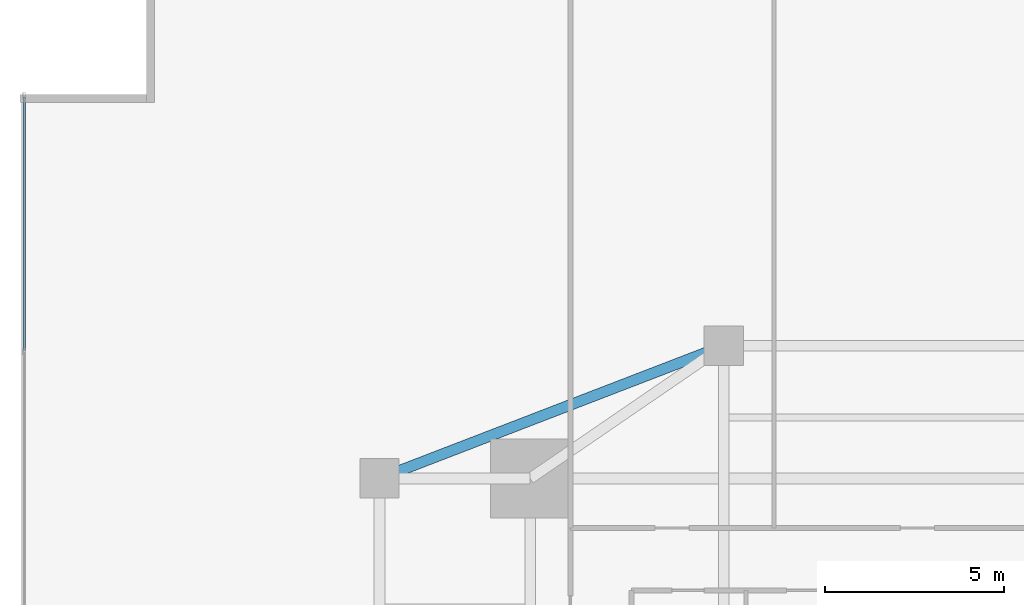
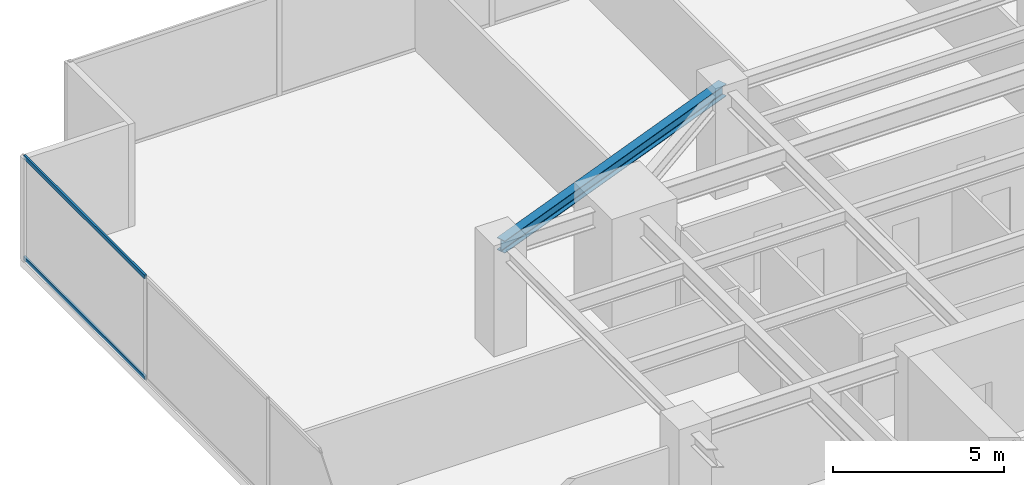
# One storey, part 16 of 28: 2 members, 1 beam, 1 element without a shape of its own.
"""IFC4 building model written with IfcOpenShell, lengths in metres."""

from ifc_helpers import new_model, si_unit, direction, frame, origin, origin_2d, place, context, subcontext, project, spatial, hollow_rectangle, i_section, extrude, source, transform, mapped, material, material_profile, profile_set, type_object, type_shapes, element, aggregate, save


model = new_model("IFC4")

# Units and contexts
model_context = context("Model", 3, precision=1e-05, world=origin(), true_north=direction((0.0, 1.0)))
body_context = subcontext(model_context, "Body", "Model", "MODEL_VIEW")
ifc_project = project(units=[si_unit("LENGTHUNIT", "METRE"), si_unit("AREAUNIT", "SQUARE_METRE"), si_unit("VOLUMEUNIT", "CUBIC_METRE"), si_unit("PLANEANGLEUNIT", "RADIAN"), si_unit("MASSUNIT", "GRAM", prefix="KILO")], contexts=[model_context])

# Site, building, storey
site_placement = place(None, origin())
site = spatial("IfcSite", under=ifc_project, at=site_placement, CompositionType="ELEMENT")
building_placement = place(site_placement, origin())
building = spatial("IfcBuilding", under=site, at=building_placement, Name="Krantzveldt Concourse Tower", CompositionType="ELEMENT")
storey_placement = place(building_placement, frame((0.0, 0.0, 32.89990234375)))
storey = spatial("IfcBuildingStorey", under=building, at=storey_placement, Name="L07", CompositionType="ELEMENT", Elevation=32.89990234375)

# Beam
ifc_material_1 = material(Name="Steel S355JR", Category="steel")
ifc_material_profile_1 = material_profile(ifc_material_1, i_section(OverallWidth=0.300048828125, OverallDepth=0.43994140625, WebThickness=0.011474609375, FlangeThickness=0.02099609375, FilletRadius=0.027099609375, at=origin_2d()), Name="Steel S355JR", Category="steel")
ifc_profile_set_1 = profile_set([ifc_material_profile_1], Name="Steel S355JR - HEA 450")
beam_type = type_object("IfcBeamType", Name="BM-SP-HEA450", PredefinedType="SPANDREL", material=ifc_profile_set_1)
shared_shape_1 = source(origin(), body_context, "Body", "SweptSolid", [
    extrude(i_section(OverallWidth=0.300048828125, OverallDepth=0.43994140625, WebThickness=0.011474609375, FlangeThickness=0.02099609375, FilletRadius=0.027099609375, at=origin_2d()), origin(), (0.0, 0.0, 1.0), 10.288330078125),
])
type_shapes(beam_type, [shared_shape_1])
beam_placement = place(storey_placement, frame((21.0, 37.5, 3.4501953125), z_axis=(0.933097690408, 0.359622997257, 0.0), x_axis=(-0.359622997257, 0.933097690408, 0.0)))
element("IfcBeam", 1, at=beam_placement, inside=storey, type_object=beam_type, Name="L07 Tower Girder SP-R03", PredefinedType="SPANDREL", context=body_context, shape_type="MappedRepresentation", body=[
    mapped(shared_shape_1, transform((0.0, 0.0, 0.0), x_axis=(1.0, 0.0, 0.0), y_axis=(0.0, 1.0, 0.0), z_axis=(0.0, 0.0, 1.0), scale=1.0)),
])

# Curtain wall, members
ifc_material_2 = material(Name="Anodised aluminium 6063-T6", Category="aluminium")
curtain_wall_type = type_object("IfcCurtainWallType", Name="CW2", PredefinedType="USERDEFINED", material=ifc_material_2)
curtain_wall_placement = place(storey_placement, origin())
curtain_wall = element("IfcCurtainWall", 2, at=curtain_wall_placement, inside=storey, type_object=curtain_wall_type, Name="CW-L07-F01", ObjectType="UNITISED CURTAIN WALL", PredefinedType="USERDEFINED")
ifc_material_profile_2 = material_profile(ifc_material_2, hollow_rectangle(XDim=0.070068359375, YDim=0.139892578125, WallThickness=0.0048828125, at=origin_2d()), Name="Anodised aluminium 6063-T6", Category="aluminium")
ifc_profile_set_2 = profile_set([ifc_material_profile_2], Name="Anodised aluminium 6063-T6 - ALU-TRAN 140x70x5")
member_type = type_object("IfcMemberType", Name="CW-TRN-150", PredefinedType="USERDEFINED", material=ifc_profile_set_2)
shared_shape_2 = source(origin(), body_context, "Body", "SweptSolid", [
    extrude(hollow_rectangle(XDim=0.070068359375, YDim=0.139892578125, WallThickness=0.0048828125, at=origin_2d()), origin(), (0.0, 0.0, 1.0), 7.0615234375),
])
type_shapes(member_type, [shared_shape_2])
member_1_placement = place(storey_placement, frame((11.090087890625, 48.1298828125, 0.03515625), z_axis=(0.0, -1.0, 0.0), x_axis=(1.0, 0.0, 0.0)))
member_1 = element("IfcMember", 3, at=member_1_placement, type_object=member_type, Name="CW-Z12 transom 1.1", ObjectType="TRANSOM", PredefinedType="USERDEFINED", context=body_context, shape_type="MappedRepresentation", body=[
    mapped(shared_shape_2, transform((0.0, 0.0, 0.0), x_axis=(1.0, 0.0, 0.0), y_axis=(0.0, 1.0, 0.0), z_axis=(0.0, 0.0, 1.0), scale=1.0)),
])
member_2_placement = place(storey_placement, frame((11.090087890625, 48.1298828125, 3.635009765625), z_axis=(0.0, -1.0, 0.0), x_axis=(1.0, 0.0, 0.0)))
member_2 = element("IfcMember", 4, at=member_2_placement, type_object=member_type, Name="CW-Z12 transom 1.2", ObjectType="TRANSOM", PredefinedType="USERDEFINED", context=body_context, shape_type="MappedRepresentation", body=[
    mapped(shared_shape_2, transform((0.0, 0.0, 0.0), x_axis=(1.0, 0.0, 0.0), y_axis=(0.0, 1.0, 0.0), z_axis=(0.0, 0.0, 1.0), scale=1.0)),
])
aggregate(curtain_wall, [member_1, member_2])

save(model, "model.ifc")
